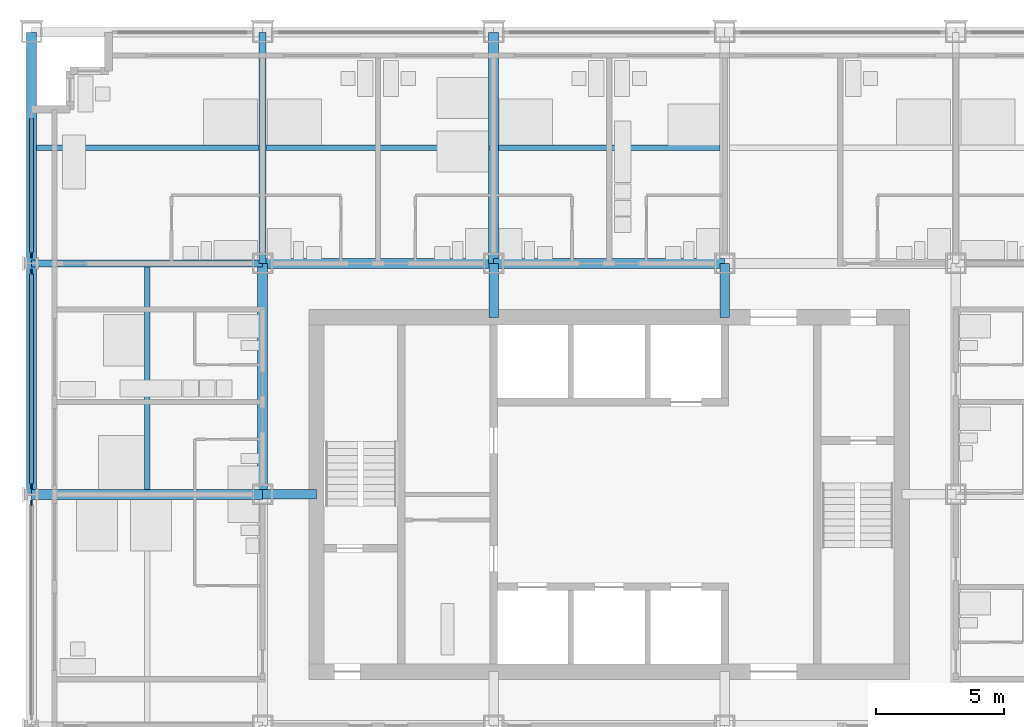
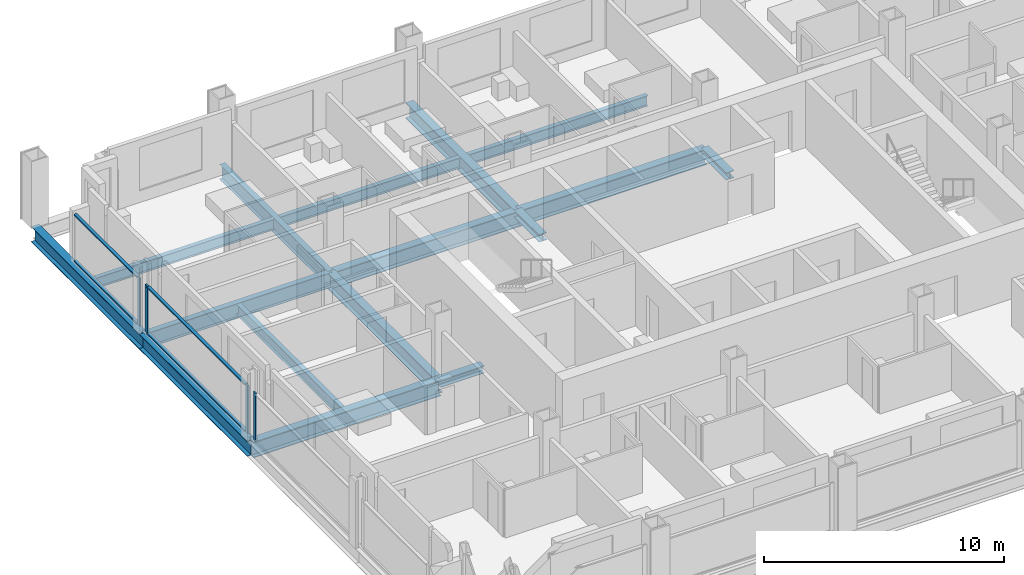
# One storey, part 4 of 17: 13 beams, 11 members, 3 elements without a shape of their own.
"""IFC4 building model written with IfcOpenShell, lengths in metres."""

from ifc_helpers import new_model, si_unit, direction, frame, origin, origin_2d, place, context, subcontext, project, spatial, rectangle, i_section, extrude, material, material_profile, profile_set, type_object, element, aggregate, save


model = new_model("IFC4")

# Units and contexts
model_context = context("Model", 3, precision=1e-05, world=origin(), true_north=direction((0.0, 1.0)))
body_context = subcontext(model_context, "Body", "Model", "MODEL_VIEW")
ifc_project = project(units=[si_unit("LENGTHUNIT", "METRE"), si_unit("AREAUNIT", "SQUARE_METRE"), si_unit("VOLUMEUNIT", "CUBIC_METRE"), si_unit("PLANEANGLEUNIT", "RADIAN"), si_unit("MASSUNIT", "GRAM", prefix="KILO")], contexts=[model_context])

# Site, building, storey
site_placement = place(None, origin())
site = spatial("IfcSite", under=ifc_project, at=site_placement, CompositionType="ELEMENT")
building_placement = place(site_placement, origin())
building = spatial("IfcBuilding", under=site, at=building_placement, Name="Loomwork Tower", CompositionType="ELEMENT")
storey_placement = place(building_placement, frame((0.0, 0.0, 138.39990234375)))
storey = spatial("IfcBuildingStorey", under=building, at=storey_placement, Name="L37", CompositionType="ELEMENT", Elevation=138.39990234375)

# Beams
ifc_material_1 = material(Name="Steel ASTM A992", Category="steel")
ifc_material_profile_1 = material_profile(ifc_material_1, i_section(OverallWidth=0.383544921875, OverallDepth=0.794921875, WebThickness=0.02099609375, FlangeThickness=0.0380859375, at=origin_2d()), Name="W30x235")
ifc_profile_set_1 = profile_set([ifc_material_profile_1], Name="Steel ASTM A992")
beam_type_1 = type_object("IfcBeamType", Name="CORE FLANK GIRDER W30x235", PredefinedType="BEAM", material=ifc_profile_set_1)
for number, where, z_axis, x_axis, name in (
    (1, (0.0, 18.0, -0.597412109375), (1.0, 0.0, 0.0), (0.0, 1.0, 0.0), "Core Flank Girder F/2-F/3 L37"),
    (2, (9.0, 27.0, -0.597412109375), (1.0, 0.0, 0.0), (0.0, 1.0, 0.0), "Core Flank Girder G/3-G/4 L37"),
    (3, (18.0, 27.0, -0.597412109375), (1.0, 0.0, 0.0), (0.0, 1.0, 0.0), "Core Flank Girder G/4-G/5 L37"),
    (4, (9.0, 18.0, -0.597412109375), (0.0, 1.0, 0.0), (-1.0, 0.0, 0.0), "Core Flank Girder F/3-G/3 L37"),
    (5, (18.0, 27.0, -0.597412109375), (0.0, 1.0, 0.0), (-1.0, 0.0, 0.0), "Core Flank Girder G/4-H/4 L37"),
):
    element("IfcBeam", number, at=place(storey_placement, frame(where, z_axis=z_axis, x_axis=x_axis)), inside=storey, type_object=beam_type_1, Name=name, PredefinedType="BEAM", context=body_context, shape_type="SweptSolid", body=[
        extrude(i_section(OverallWidth=0.383544921875, OverallDepth=0.794921875, WebThickness=0.02099609375, FlangeThickness=0.0380859375, at=origin_2d()), origin(), (0.0, 0.0, 1.0), 9.0),
    ])

# Members
ifc_material_2 = material(Name="Steel ASTM A992", Category="steel")
ifc_material_profile_2 = material_profile(ifc_material_2, i_section(OverallWidth=0.373291015625, OverallDepth=0.373291015625, WebThickness=0.016357421875, FlangeThickness=0.026123046875, at=origin_2d()), Name="W14x132")
ifc_profile_set_2 = profile_set([ifc_material_profile_2], Name="Steel ASTM A992")
member_type_1 = type_object("IfcMemberType", Name="CORE LINK STRUT W14x132", PredefinedType="STRUT", material=ifc_profile_set_2)
for number, where, z_axis, x_axis, name in (
    (6, (27.0, 27.0, -0.386474609375), (0.0, -1.0, 0.0), (1.0, 0.0, 0.0), "Core link strut G/5-27.000,24.900 L37"),
    (7, (18.0, 27.0, -0.386474609375), (0.0, -1.0, 0.0), (1.0, 0.0, 0.0), "Core link strut G/4-18.000,24.900 L37"),
    (8, (9.0, 18.0, -0.386474609375), (1.0, 0.0, 0.0), (0.0, 1.0, 0.0), "Core link strut F/3-11.100,18.000 L37"),
):
    element("IfcMember", number, at=place(storey_placement, frame(where, z_axis=z_axis, x_axis=x_axis)), inside=storey, type_object=member_type_1, Name=name, PredefinedType="STRUT", context=body_context, shape_type="SweptSolid", body=[
        extrude(i_section(OverallWidth=0.373291015625, OverallDepth=0.373291015625, WebThickness=0.016357421875, FlangeThickness=0.026123046875, at=origin_2d()), origin(), (0.0, 0.0, 1.0), 2.10009765625),
    ])

# Beams
ifc_material_3 = material(Name="Steel ASTM A992", Category="steel")
ifc_material_profile_3 = material_profile(ifc_material_3, i_section(OverallWidth=0.2666015625, OverallDepth=0.761962890625, WebThickness=0.014404296875, FlangeThickness=0.021484375, at=origin_2d()), Name="W30x116")
ifc_profile_set_3 = profile_set([ifc_material_profile_3], Name="Steel ASTM A992")
beam_type_2 = type_object("IfcBeamType", Name="FLOOR GIRDER W30x116", PredefinedType="BEAM", material=ifc_profile_set_3)
for number, where, z_axis, x_axis, name in (
    (9, (0.0, 27.0, -0.580810546875), (1.0, 0.0, 0.0), (0.0, 1.0, 0.0), "Floor Girder G/2-G/3 L37"),
    (10, (9.0, 27.0, -0.580810546875), (0.0, 1.0, 0.0), (-1.0, 0.0, 0.0), "Floor Girder G/3-H/3 L37"),
):
    element("IfcBeam", number, at=place(storey_placement, frame(where, z_axis=z_axis, x_axis=x_axis)), inside=storey, type_object=beam_type_2, Name=name, PredefinedType="BEAM", context=body_context, shape_type="SweptSolid", body=[
        extrude(i_section(OverallWidth=0.2666015625, OverallDepth=0.761962890625, WebThickness=0.014404296875, FlangeThickness=0.021484375, at=origin_2d()), origin(), (0.0, 0.0, 1.0), 9.0),
    ])
ifc_material_4 = material(Name="Steel ASTM A992", Category="steel")
ifc_material_profile_4 = material_profile(ifc_material_4, i_section(OverallWidth=0.2109375, OverallDepth=0.53857421875, WebThickness=0.011474609375, FlangeThickness=0.018798828125, at=origin_2d()), Name="W21x73")
ifc_profile_set_4 = profile_set([ifc_material_profile_4], Name="Steel ASTM A992")
beam_type_3 = type_object("IfcBeamType", Name="FLOOR JOIST W21x73", PredefinedType="JOIST", material=ifc_profile_set_4)
beam_1_placement = place(storey_placement, frame((4.5, 18.19091796875, -0.46923828125), z_axis=(0.0, 1.0, 0.0), x_axis=(-1.0, 0.0, 0.0)))
element("IfcBeam", 11, at=beam_1_placement, inside=storey, type_object=beam_type_3, Name="Floor Joist 4.500,18.000-4.500,27.000 L37", PredefinedType="JOIST", context=body_context, shape_type="SweptSolid", body=[
    extrude(i_section(OverallWidth=0.2109375, OverallDepth=0.53857421875, WebThickness=0.011474609375, FlangeThickness=0.018798828125, at=origin_2d()), origin(), (0.0, 0.0, 1.0), 8.676025390625),
])
beam_2_placement = place(storey_placement, frame((0.18994140625, 31.5, -0.46923828125), z_axis=(1.0, 0.0, 0.0), x_axis=(0.0, 1.0, 0.0)))
element("IfcBeam", 12, at=beam_2_placement, inside=storey, type_object=beam_type_3, Name="Floor Joist 0.000,31.500-9.000,31.500 L37", PredefinedType="JOIST", context=body_context, shape_type="SweptSolid", body=[
    extrude(i_section(OverallWidth=0.2109375, OverallDepth=0.53857421875, WebThickness=0.011474609375, FlangeThickness=0.018798828125, at=origin_2d()), origin(), (0.0, 0.0, 1.0), 8.677001953125),
])
beam_3_placement = place(storey_placement, frame((9.133056640625, 31.5, -0.46923828125), z_axis=(1.0, 0.0, 0.0), x_axis=(0.0, 1.0, 0.0)))
element("IfcBeam", 13, at=beam_3_placement, inside=storey, type_object=beam_type_3, Name="Floor Joist 9.000,31.500-18.000,31.500 L37", PredefinedType="JOIST", context=body_context, shape_type="SweptSolid", body=[
    extrude(i_section(OverallWidth=0.2109375, OverallDepth=0.53857421875, WebThickness=0.011474609375, FlangeThickness=0.018798828125, at=origin_2d()), origin(), (0.0, 0.0, 1.0), 8.676025390625),
])
beam_4_placement = place(storey_placement, frame((18.19091796875, 31.5, -0.46923828125), z_axis=(1.0, 0.0, 0.0), x_axis=(0.0, 1.0, 0.0)))
element("IfcBeam", 14, at=beam_4_placement, inside=storey, type_object=beam_type_3, Name="Floor Joist 18.000,31.500-27.000,31.500 L37", PredefinedType="JOIST", context=body_context, shape_type="SweptSolid", body=[
    extrude(i_section(OverallWidth=0.2109375, OverallDepth=0.53857421875, WebThickness=0.011474609375, FlangeThickness=0.018798828125, at=origin_2d()), origin(), (0.0, 0.0, 1.0), 8.6181640625),
])

# Curtain wall, member
ifc_material_5 = material(Name="Aluminium curtain wall frame", Category="aluminium")
curtain_wall_type = type_object("IfcCurtainWallType", Name="Outer skin glazing hotel", PredefinedType="NOTDEFINED", material=ifc_material_5)
curtain_wall_1_placement = place(storey_placement, origin())
curtain_wall_1 = element("IfcCurtainWall", 15, at=curtain_wall_1_placement, inside=storey, type_object=curtain_wall_type, Name="Outer skin glazing hotel cw/W-9", PredefinedType="NOTDEFINED")
ifc_material_6 = material(Name="Aluminium curtain wall frame", Category="aluminium")
ifc_material_profile_5 = material_profile(ifc_material_6, rectangle(XDim=0.06494140625, YDim=0.199951171875, at=origin_2d()), Name="AL 65x200")
ifc_profile_set_5 = profile_set([ifc_material_profile_5], Name="Aluminium curtain wall frame")
member_type_2 = type_object("IfcMemberType", Name="Outer skin glazing hotel mullion", PredefinedType="MULLION", material=ifc_profile_set_5)
member_1_placement = place(storey_placement, frame((0.0, 17.678955078125, 0.0), z_axis=(0.0, 0.0, 1.0), x_axis=(1.0, 0.0, 0.0)))
member_1 = element("IfcMember", 16, at=member_1_placement, type_object=member_type_2, Name="CW1 mullion 1", PredefinedType="MULLION", context=body_context, shape_type="SweptSolid", body=[
    extrude(rectangle(XDim=0.06494140625, YDim=0.199951171875, at=origin_2d()), origin(), (0.0, 0.0, 1.0), 2.42041015625),
])
aggregate(curtain_wall_1, [member_1])

# Curtain wall, members
curtain_wall_2_placement = place(storey_placement, origin())
curtain_wall_2 = element("IfcCurtainWall", 17, at=curtain_wall_2_placement, inside=storey, type_object=curtain_wall_type, Name="Outer skin glazing hotel cw/W-18", PredefinedType="NOTDEFINED")
member_2_placement = place(storey_placement, frame((0.0, 26.678955078125, 0.0), z_axis=(0.0, 0.0, 1.0), x_axis=(1.0, 0.0, 0.0)))
member_2 = element("IfcMember", 18, at=member_2_placement, type_object=member_type_2, Name="CW1 mullion 1", PredefinedType="MULLION", context=body_context, shape_type="SweptSolid", body=[
    extrude(rectangle(XDim=0.06494140625, YDim=0.199951171875, at=origin_2d()), origin(), (0.0, 0.0, 1.0), 2.42041015625),
])
member_3_placement = place(storey_placement, frame((0.0, 18.321044921875, 0.0), z_axis=(0.0, 0.0, 1.0), x_axis=(1.0, 0.0, 0.0)))
member_3 = element("IfcMember", 19, at=member_3_placement, type_object=member_type_2, Name="CW1 mullion 2", PredefinedType="MULLION", context=body_context, shape_type="SweptSolid", body=[
    extrude(rectangle(XDim=0.06494140625, YDim=0.199951171875, at=origin_2d()), origin(), (0.0, 0.0, 1.0), 2.42041015625),
])

# Curtain wall, member
curtain_wall_3_placement = place(storey_placement, origin())
curtain_wall_3 = element("IfcCurtainWall", 20, at=curtain_wall_3_placement, inside=storey, type_object=curtain_wall_type, Name="Outer skin glazing hotel cw/W-27", PredefinedType="NOTDEFINED")
member_4_placement = place(storey_placement, frame((0.0, 27.321044921875, 0.0), z_axis=(0.0, 0.0, 1.0), x_axis=(1.0, 0.0, 0.0)))
member_4 = element("IfcMember", 21, at=member_4_placement, type_object=member_type_2, Name="CW1 mullion 2", PredefinedType="MULLION", context=body_context, shape_type="SweptSolid", body=[
    extrude(rectangle(XDim=0.06494140625, YDim=0.199951171875, at=origin_2d()), origin(), (0.0, 0.0, 1.0), 2.42041015625),
])

# Member
ifc_material_7 = material(Name="Aluminium curtain wall frame", Category="aluminium")
ifc_material_profile_6 = material_profile(ifc_material_7, rectangle(XDim=0.14990234375, YDim=0.06494140625, at=origin_2d()), Name="AL 65x150")
ifc_profile_set_6 = profile_set([ifc_material_profile_6], Name="Aluminium curtain wall frame")
member_type_3 = type_object("IfcMemberType", Name="Outer skin glazing hotel transom", PredefinedType="USERDEFINED", material=ifc_profile_set_6)
member_5_placement = place(storey_placement, frame((0.0, 26.5791015625, 0.03271484375), z_axis=(0.0, -1.0, 0.0), x_axis=(1.0, 0.0, 0.0)))
member_5 = element("IfcMember", 22, at=member_5_placement, type_object=member_type_3, Name="CW1 transom 1.1", ObjectType="TRANSOM", PredefinedType="USERDEFINED", context=body_context, shape_type="SweptSolid", body=[
    extrude(rectangle(XDim=0.14990234375, YDim=0.06494140625, at=origin_2d()), origin(), (0.0, 0.0, 1.0), 8.158203125),
])

member_6_placement = place(storey_placement, frame((0.0, 26.5791015625, 2.3876953125), z_axis=(0.0, -1.0, 0.0), x_axis=(1.0, 0.0, 0.0)))
member_6 = element("IfcMember", 23, at=member_6_placement, type_object=member_type_3, Name="CW1 transom 1.2", ObjectType="TRANSOM", PredefinedType="USERDEFINED", context=body_context, shape_type="SweptSolid", body=[
    extrude(rectangle(XDim=0.14990234375, YDim=0.06494140625, at=origin_2d()), origin(), (0.0, 0.0, 1.0), 8.158203125),
])

aggregate(curtain_wall_2, [member_2, member_3, member_5, member_6])

member_7_placement = place(storey_placement, frame((0.0, 32.64990234375, 0.03271484375), z_axis=(0.0, -1.0, 0.0), x_axis=(1.0, 0.0, 0.0)))
member_7 = element("IfcMember", 24, at=member_7_placement, type_object=member_type_3, Name="CW1 transom 1.1", ObjectType="TRANSOM", PredefinedType="USERDEFINED", context=body_context, shape_type="SweptSolid", body=[
    extrude(rectangle(XDim=0.14990234375, YDim=0.06494140625, at=origin_2d()), origin(), (0.0, 0.0, 1.0), 5.22900390625),
])

member_8_placement = place(storey_placement, frame((0.0, 32.64990234375, 2.3876953125), z_axis=(0.0, -1.0, 0.0), x_axis=(1.0, 0.0, 0.0)))
member_8 = element("IfcMember", 25, at=member_8_placement, type_object=member_type_3, Name="CW1 transom 1.2", ObjectType="TRANSOM", PredefinedType="USERDEFINED", context=body_context, shape_type="SweptSolid", body=[
    extrude(rectangle(XDim=0.14990234375, YDim=0.06494140625, at=origin_2d()), origin(), (0.0, 0.0, 1.0), 5.22900390625),
])

aggregate(curtain_wall_3, [member_4, member_7, member_8])

# Beams
ifc_material_8 = material(Name="Steel ASTM A992", Category="steel")
ifc_material_profile_7 = material_profile(ifc_material_8, i_section(OverallWidth=0.381103515625, OverallDepth=0.77978515625, WebThickness=0.01806640625, FlangeThickness=0.0302734375, at=origin_2d()), Name="W30x191")
ifc_profile_set_7 = profile_set([ifc_material_profile_7], Name="Steel ASTM A992")
beam_type_4 = type_object("IfcBeamType", Name="SPANDREL GIRDER W30x191", PredefinedType="SPANDREL", material=ifc_profile_set_7)
for number, where, z_axis, x_axis, name in (
    (26, (0.0, 18.0, -0.58984375), (0.0, 1.0, 0.0), (-1.0, 0.0, 0.0), "Spandrel Girder F/2-G/2 L37"),
    (27, (0.0, 27.0, -0.58984375), (0.0, 1.0, 0.0), (-1.0, 0.0, 0.0), "Spandrel Girder G/2-H/2 L37"),
):
    element("IfcBeam", number, at=place(storey_placement, frame(where, z_axis=z_axis, x_axis=x_axis)), inside=storey, type_object=beam_type_4, Name=name, PredefinedType="SPANDREL", context=body_context, shape_type="SweptSolid", body=[
        extrude(i_section(OverallWidth=0.381103515625, OverallDepth=0.77978515625, WebThickness=0.01806640625, FlangeThickness=0.0302734375, at=origin_2d()), origin(), (0.0, 0.0, 1.0), 9.0),
    ])

save(model, "model.ifc")
